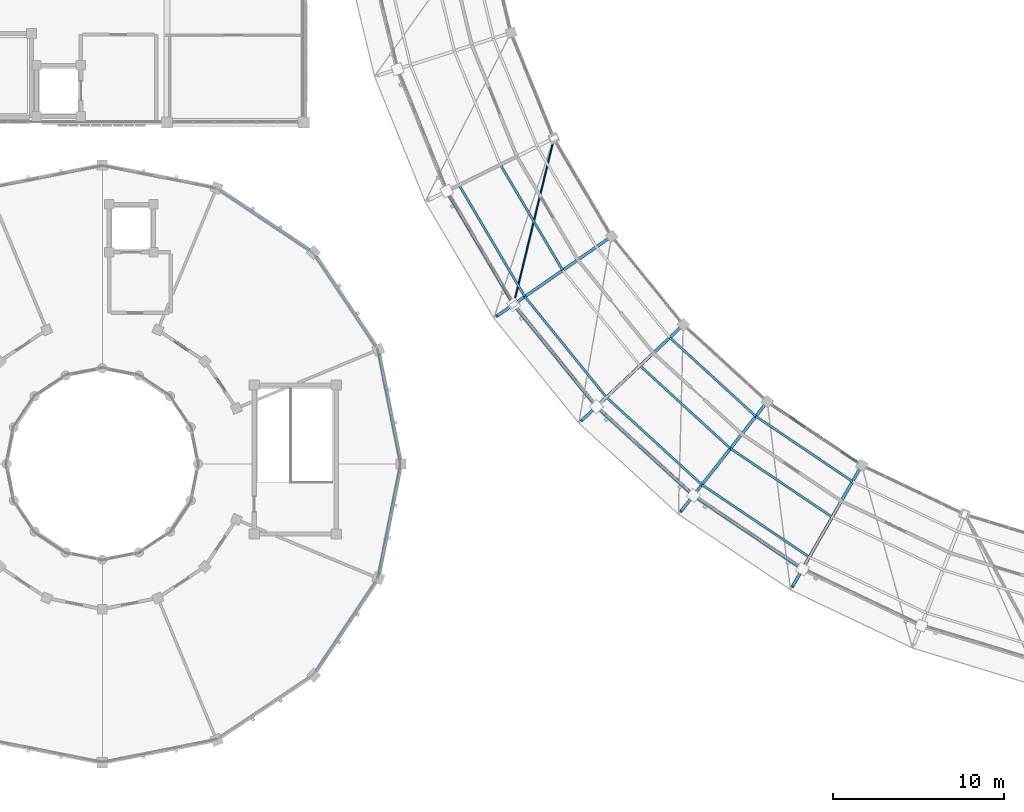
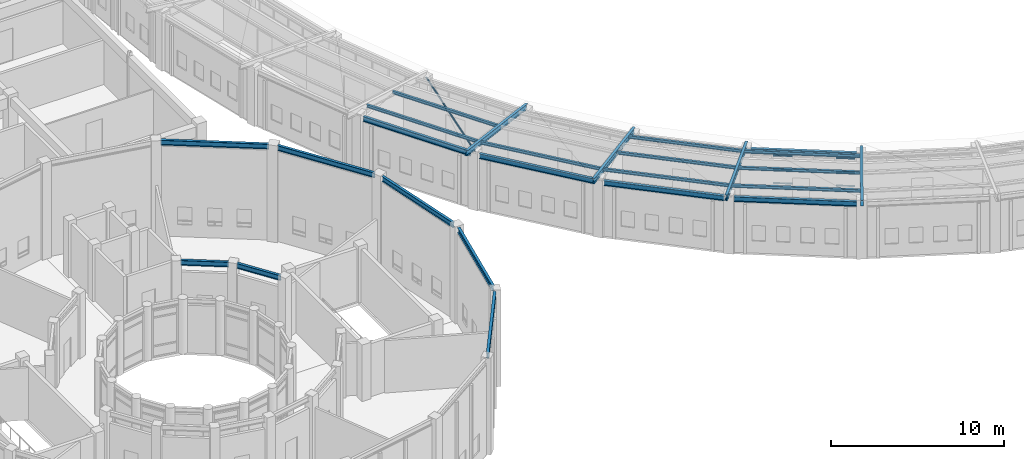
# One storey, part 16 of 149: 20 members, 12 beams, 1 element without a shape of its own.
"""IFC4 building model written with IfcOpenShell, lengths in metres."""

import ifcopenshell
import ifcopenshell.guid

model = None  # the IFC model being written
_history = None  # IfcOwnerHistory: only IFC2X3 demands one
_inside = {}  # id of a spatial element -> (the spatial element, [elements in it])
_under = {}  # id of a project, library or spatial element -> (it, [spatial elements below it])
_declared = {}  # id of a project -> (the project, [libraries it declares])
_typed = {}  # id of a type object -> (the type object, [elements of that type])
_made_of = {}  # id of a material, layer set ... -> (it, [elements and type objects made of it])


def new_model(schema):
    """Start an empty IFC model of exactly this schema.

    Asked for "IFC4X3", IfcOpenShell would pick the latest addendum, in which some entities
    have other attributes; the version numbers below select the first issue.
    IFC2X3 requires an IfcOwnerHistory on every rooted entity: one is made here for all.
    """
    global model, _history
    if schema == "IFC4X3":
        model = ifcopenshell.file(schema_version=(4, 3, 0, 0))
    else:
        model = ifcopenshell.file(schema=schema)
    _inside.clear()
    _under.clear()
    _declared.clear()
    _typed.clear()
    _made_of.clear()
    _history = None
    if model.schema == "IFC2X3":
        org = make("IfcOrganization", Name="unknown")
        user = make(
            "IfcPersonAndOrganization",
            ThePerson=make("IfcPerson", FamilyName="unknown"),
            TheOrganization=org,
        )
        app = make(
            "IfcApplication",
            ApplicationDeveloper=org,
            Version="unknown",
            ApplicationFullName="unknown",
            ApplicationIdentifier="unknown",
        )
        _history = make(
            "IfcOwnerHistory",
            OwningUser=user,
            OwningApplication=app,
            ChangeAction="ADDED",
            CreationDate=0,
        )
    return model


def make(cls, **values):
    """One entity of the class cls with the attributes given. An attribute that is None is left unset."""
    return model.create_entity(
        cls, **{name: value for name, value in values.items() if value is not None}
    )


def rooted(cls, **values):
    """An entity with a GlobalId (a new one), such as an element, a storey or a relation."""
    return make(cls, GlobalId=ifcopenshell.guid.new(), OwnerHistory=_history, **values)


def si_unit(unit_type, name, prefix=None):
    """IfcSIUnit, for example si_unit("LENGTHUNIT", "METRE", prefix="MILLI")."""
    return make("IfcSIUnit", UnitType=unit_type, Prefix=prefix, Name=name)


def assignment(units):
    """IfcUnitAssignment: the units of a project."""
    return None if units is None else make("IfcUnitAssignment", Units=units)


def point(xyz):
    """IfcCartesianPoint."""
    return None if xyz is None else make("IfcCartesianPoint", Coordinates=xyz)


def direction(xyz):
    """IfcDirection."""
    return None if xyz is None else make("IfcDirection", DirectionRatios=xyz)


def frame(location, z_axis=None, x_axis=None):
    """IfcAxis2Placement3D, a coordinate frame: its origin and axes. An axis left out is left unset."""
    return make(
        "IfcAxis2Placement3D",
        Location=point(location),
        Axis=direction(z_axis),
        RefDirection=direction(x_axis),
    )


def frame_2d(location, x_axis=None):
    """IfcAxis2Placement2D, a coordinate frame in the plane: its origin and x axis."""
    return make(
        "IfcAxis2Placement2D", Location=point(location), RefDirection=direction(x_axis)
    )


def origin():
    """The frame at (0, 0, 0) with its axes left unset."""
    return frame((0.0, 0.0, 0.0))


def origin_2d():
    """The frame at (0, 0) in the plane with its x axis left unset."""
    return frame_2d((0.0, 0.0))


def place(relative_to, where):
    """IfcLocalPlacement: puts the frame where relative to a parent placement (None: the world)."""
    return make(
        "IfcLocalPlacement", PlacementRelTo=relative_to, RelativePlacement=where
    )


def context(
    kind, dimensions, precision=None, world=None, true_north=None, identifier=None
):
    """IfcGeometricRepresentationContext, for example the 3D "Model" context."""
    return make(
        "IfcGeometricRepresentationContext",
        ContextIdentifier=identifier,
        ContextType=kind,
        CoordinateSpaceDimension=dimensions,
        Precision=precision,
        WorldCoordinateSystem=world,
        TrueNorth=true_north,
    )


def subcontext(parent, identifier, kind, view, scale=None):
    """IfcGeometricRepresentationSubContext, for example "Body" below "Model"."""
    return make(
        "IfcGeometricRepresentationSubContext",
        ContextIdentifier=identifier,
        ContextType=kind,
        ParentContext=parent,
        TargetScale=scale,
        TargetView=view,
    )


def project(units=None, contexts=None):
    """IfcProject with its units and contexts."""
    return rooted(
        "IfcProject",
        Name="project",
        RepresentationContexts=contexts,
        UnitsInContext=assignment(units),
    )


def spatial(cls, under=None, at=None, **own):
    """A site, building, storey or space (cls), placed at a placement, below another one or the project."""
    s = rooted(cls, ObjectPlacement=at, **own)
    if under is not None:
        _under.setdefault(under.id(), (under, []))[1].append(s)
    return s


def profile(cls, at=None, kind="AREA", **sizes):
    """A parametric profile (cls). Its sizes go by their IFC names, for example OverallWidth=200.0."""
    return make(cls, ProfileType=kind, Position=at, **sizes)


def hollow_rectangle(**sizes):
    """IfcRectangleHollowProfileDef."""
    return profile("IfcRectangleHollowProfileDef", **sizes)


def hollow_circle(**sizes):
    """IfcCircleHollowProfileDef."""
    return profile("IfcCircleHollowProfileDef", **sizes)


def i_section(**sizes):
    """IfcIShapeProfileDef."""
    return profile("IfcIShapeProfileDef", **sizes)


def extrude(swept, where, along, depth):
    """IfcExtrudedAreaSolid: the profile swept, set in the frame where, extruded along a direction by depth."""
    return make(
        "IfcExtrudedAreaSolid",
        SweptArea=swept,
        Position=where,
        ExtrudedDirection=direction(along),
        Depth=depth,
    )


def shape(context_of_items, identifier, shape_type, items):
    """IfcShapeRepresentation: the items that make up one representation, for example the "Body"."""
    return make(
        "IfcShapeRepresentation",
        ContextOfItems=context_of_items,
        RepresentationIdentifier=identifier,
        RepresentationType=shape_type,
        Items=items,
    )


def material(Name=None, Category=None):
    """IfcMaterial."""
    return make("IfcMaterial", Name=Name, Category=Category)


def material_profile(
    of_material, cross_section, Name=None, Category=None, Priority=None
):
    """IfcMaterialProfile: a cross section and its material."""
    return make(
        "IfcMaterialProfile",
        Name=Name,
        Material=of_material,
        Profile=cross_section,
        Priority=Priority,
        Category=Category,
    )


def profile_set(profiles, Name=None, composite=None):
    """IfcMaterialProfileSet."""
    return make(
        "IfcMaterialProfileSet",
        Name=Name,
        MaterialProfiles=profiles,
        CompositeProfile=composite,
    )


def made_of(thing, what):
    """Note that an element or type object is made of a material, layer set ...; save() writes the relation."""
    if what is not None:
        _made_of.setdefault(what.id(), (what, []))[1].append(thing)
    return thing


def type_object(cls, material=None, **own):
    """A type object (cls), such as IfcWallType, which elements share."""
    return made_of(rooted(cls, **own), material)


def element(
    cls,
    number,
    at=None,
    inside=None,
    cuts=None,
    type_object=None,
    material=None,
    context=None,
    identifier="Body",
    shape_type=None,
    held_by="IfcProductDefinitionShape",
    body=None,
    shapes=None,
    **own,
):
    """One element of the class cls, such as IfcWall. Its Tag is "e" and its number.

    at: its placement. inside: the storey or other place that contains it. cuts: it is an
    opening in that element (IfcRelVoidsElement). A single representation is given by context,
    identifier, shape_type and body (its items); several are given by shapes. held_by: the class
    of the entity that holds the representations. save() writes the other relations.
    """
    e = rooted(cls, Tag="e%d" % number, ObjectPlacement=at, **own)
    if body is not None:
        shapes = [shape(context, identifier, shape_type, body)]
    if shapes is not None:
        e.Representation = make(held_by, Representations=shapes)
    if inside is not None:
        _inside.setdefault(inside.id(), (inside, []))[1].append(e)
    if cuts is not None:
        rooted(
            "IfcRelVoidsElement", RelatingBuildingElement=cuts, RelatedOpeningElement=e
        )
    if type_object is not None:
        _typed.setdefault(type_object.id(), (type_object, []))[1].append(e)
    return made_of(e, material)


def aggregate(whole, parts):
    """IfcRelAggregates: a whole, such as a stair, and the parts it consists of."""
    return rooted("IfcRelAggregates", RelatingObject=whole, RelatedObjects=parts)


def save(model, path):
    """Write the relations noted so far, then the file.

    IfcRelAggregates (storeys below a building ...), IfcRelContainedInSpatialStructure (elements
    in a storey), IfcRelDefinesByType, IfcRelAssociatesMaterial and IfcRelDeclares: one each for
    every whole, place, type object, material and project.
    """
    for whole, parts in _under.values():
        aggregate(whole, parts)
    for where, things in _inside.values():
        rooted(
            "IfcRelContainedInSpatialStructure",
            RelatedElements=things,
            RelatingStructure=where,
        )
    for kind, things in _typed.values():
        rooted("IfcRelDefinesByType", RelatedObjects=things, RelatingType=kind)
    for what, things in _made_of.values():
        rooted("IfcRelAssociatesMaterial", RelatedObjects=things, RelatingMaterial=what)
    for by, libraries in _declared.values():
        rooted("IfcRelDeclares", RelatingContext=by, RelatedDefinitions=libraries)
    model.write(path)


model = new_model("IFC4")

# Units and contexts
model_context = context("Model", 3, precision=1e-05, world=origin(), true_north=direction((0.0, 1.0)))
body_context = subcontext(model_context, "Body", "Model", "MODEL_VIEW")
ifc_project = project(units=[si_unit("LENGTHUNIT", "METRE"), si_unit("AREAUNIT", "SQUARE_METRE"), si_unit("VOLUMEUNIT", "CUBIC_METRE"), si_unit("PLANEANGLEUNIT", "RADIAN"), si_unit("MASSUNIT", "GRAM", prefix="KILO")], contexts=[model_context])

# Site, building, storey
site_placement = place(None, origin())
site = spatial("IfcSite", under=ifc_project, at=site_placement, CompositionType="ELEMENT")
building_placement = place(site_placement, origin())
building = spatial("IfcBuilding", under=site, at=building_placement, Name="Celadon Cloister-Ring School", CompositionType="ELEMENT")
storey_placement = place(building_placement, frame((0.0, 0.0, 12.5)))
storey = spatial("IfcBuildingStorey", under=building, at=storey_placement, Name="L03", CompositionType="ELEMENT", Elevation=12.5)

# Curtain wall, members
ifc_material_1 = material(Name="Aluminium EN AW-6063 T6", Category="aluminium")
curtain_wall_type = type_object("IfcCurtainWallType", Name="CW-02", PredefinedType="USERDEFINED", material=ifc_material_1)
curtain_wall_placement = place(storey_placement, origin())
curtain_wall = element("IfcCurtainWall", 1, at=curtain_wall_placement, inside=storey, type_object=curtain_wall_type, Name="Curtain Wall 0057", ObjectType="CURTAIN WALL", PredefinedType="USERDEFINED")
ifc_material_2 = material(Name="Aluminium EN AW-6063 T6", Category="aluminium")
ifc_material_profile_1 = material_profile(ifc_material_2, hollow_rectangle(XDim=0.074951171875, YDim=0.074951171875, WallThickness=0.00390625, at=origin_2d()), Name="RHS75X75X4")
ifc_profile_set_1 = profile_set([ifc_material_profile_1], Name="Aluminium EN AW-6063 T6")
member_type_1 = type_object("IfcMemberType", Name="CTM-03", PredefinedType="USERDEFINED", material=ifc_profile_set_1)
member_1_placement = place(storey_placement, frame((60.429443359375, 22.790771484375, 0.03759765625), z_axis=(0.829309514783, -0.55878952092, 0.0), x_axis=(0.55878952092, 0.829309514783, 0.0)))
member_1 = element("IfcMember", 2, at=member_1_placement, type_object=member_type_1, Name="CW-02 transom 2.1", ObjectType="TRANSOM", PredefinedType="USERDEFINED", context=body_context, shape_type="SweptSolid", body=[
    extrude(hollow_rectangle(XDim=0.074951171875, YDim=0.074951171875, WallThickness=0.00390625, at=origin_2d()), origin(), (0.0, 0.0, 1.0), 1.1416015625),
])
member_2_placement = place(storey_placement, frame((60.429443359375, 22.790771484375, 1.010009765625), z_axis=(0.829309514783, -0.55878952092, 0.0), x_axis=(0.55878952092, 0.829309514783, 0.0)))
member_2 = element("IfcMember", 3, at=member_2_placement, type_object=member_type_1, Name="CW-02 transom 2.2", ObjectType="TRANSOM", PredefinedType="USERDEFINED", context=body_context, shape_type="SweptSolid", body=[
    extrude(hollow_rectangle(XDim=0.074951171875, YDim=0.074951171875, WallThickness=0.00390625, at=origin_2d()), origin(), (0.0, 0.0, 1.0), 1.1416015625),
])
member_3_placement = place(storey_placement, frame((60.429443359375, 22.790771484375, 1.982421875), z_axis=(0.829309514783, -0.55878952092, 0.0), x_axis=(0.55878952092, 0.829309514783, 0.0)))
member_3 = element("IfcMember", 4, at=member_3_placement, type_object=member_type_1, Name="CW-02 transom 2.3", ObjectType="TRANSOM", PredefinedType="USERDEFINED", context=body_context, shape_type="SweptSolid", body=[
    extrude(hollow_rectangle(XDim=0.074951171875, YDim=0.074951171875, WallThickness=0.00390625, at=origin_2d()), origin(), (0.0, 0.0, 1.0), 1.1416015625),
])
member_4_placement = place(storey_placement, frame((63.468994140625, 20.742431640625, 0.03759765625), z_axis=(0.829244100833, -0.558886590673, 0.0), x_axis=(0.558886590673, 0.829244100833, 0.0)))
member_4 = element("IfcMember", 5, at=member_4_placement, type_object=member_type_1, Name="CW-02 transom 5.1", ObjectType="TRANSOM", PredefinedType="USERDEFINED", context=body_context, shape_type="SweptSolid", body=[
    extrude(hollow_rectangle(XDim=0.074951171875, YDim=0.074951171875, WallThickness=0.00390625, at=origin_2d()), origin(), (0.0, 0.0, 1.0), 1.101806640625),
])
member_5_placement = place(storey_placement, frame((63.468994140625, 20.742431640625, 1.010009765625), z_axis=(0.829244100833, -0.558886590673, 0.0), x_axis=(0.558886590673, 0.829244100833, 0.0)))
member_5 = element("IfcMember", 6, at=member_5_placement, type_object=member_type_1, Name="CW-02 transom 5.2", ObjectType="TRANSOM", PredefinedType="USERDEFINED", context=body_context, shape_type="SweptSolid", body=[
    extrude(hollow_rectangle(XDim=0.074951171875, YDim=0.074951171875, WallThickness=0.00390625, at=origin_2d()), origin(), (0.0, 0.0, 1.0), 1.101806640625),
])
member_6_placement = place(storey_placement, frame((63.468994140625, 20.742431640625, 1.982421875), z_axis=(0.829244100833, -0.558886590673, 0.0), x_axis=(0.558886590673, 0.829244100833, 0.0)))
member_6 = element("IfcMember", 7, at=member_6_placement, type_object=member_type_1, Name="CW-02 transom 5.3", ObjectType="TRANSOM", PredefinedType="USERDEFINED", context=body_context, shape_type="SweptSolid", body=[
    extrude(hollow_rectangle(XDim=0.074951171875, YDim=0.074951171875, WallThickness=0.00390625, at=origin_2d()), origin(), (0.0, 0.0, 1.0), 1.101806640625),
])
aggregate(curtain_wall, [member_1, member_2, member_3, member_4, member_5, member_6])

# Beams
ifc_material_3 = material(Name="Structural steel S355JR", Category="steel")
ifc_material_profile_2 = material_profile(ifc_material_3, i_section(OverallWidth=0.1708984375, OverallDepth=0.35498046875, WebThickness=0.007080078125, FlangeThickness=0.01171875, at=origin_2d()), Name="W360X51")
ifc_profile_set_2 = profile_set([ifc_material_profile_2], Name="Structural steel S355JR")
beam_type_1 = type_object("IfcBeamType", Name="GT-08", PredefinedType="USERDEFINED", material=ifc_profile_set_2)
beam_1_placement = place(storey_placement, frame((59.35888671875, 23.511962890625, 2.27197265625), z_axis=(0.82929315026, -0.558813807033, 0.0), x_axis=(0.558813807033, 0.82929315026, 0.0)))
element("IfcBeam", 8, at=beam_1_placement, inside=storey, type_object=beam_type_1, Name="Beam 0551", ObjectType="GIRDER", PredefinedType="USERDEFINED", context=body_context, shape_type="SweptSolid", body=[
    extrude(i_section(OverallWidth=0.1708984375, OverallDepth=0.35498046875, WebThickness=0.007080078125, FlangeThickness=0.01171875, at=origin_2d()), origin(), (0.0, 0.0, 1.0), 6.166748046875),
])
beam_2_placement = place(storey_placement, frame((27.9140625, 23.4609375, 4.322998046875), z_axis=(-0.555740149771, 0.831356052442, 0.0), x_axis=(-0.831356052442, -0.555740149771, 0.0)))
element("IfcBeam", 9, at=beam_2_placement, inside=storey, type_object=beam_type_1, Name="Beam 1075", ObjectType="GIRDER", PredefinedType="USERDEFINED", context=body_context, shape_type="SweptSolid", body=[
    extrude(i_section(OverallWidth=0.1708984375, OverallDepth=0.35498046875, WebThickness=0.007080078125, FlangeThickness=0.01171875, at=origin_2d()), origin(), (0.0, 0.0, 1.0), 2.81591796875),
])
beam_3_placement = place(storey_placement, frame((26.001953125, 26.14892578125, 4.322998046875), z_axis=(-0.831315995752, 0.555800067657, 0.0), x_axis=(-0.555800067657, -0.831315995752, 0.0)))
element("IfcBeam", 10, at=beam_3_placement, inside=storey, type_object=beam_type_1, Name="Beam 1078", ObjectType="GIRDER", PredefinedType="USERDEFINED", context=body_context, shape_type="SweptSolid", body=[
    extrude(i_section(OverallWidth=0.1708984375, OverallDepth=0.35498046875, WebThickness=0.007080078125, FlangeThickness=0.01171875, at=origin_2d()), origin(), (0.0, 0.0, 1.0), 2.816162109375),
])

# Members
ifc_material_4 = material(Name="Structural steel S355JR", Category="steel")
ifc_material_profile_3 = material_profile(ifc_material_4, hollow_circle(Radius=0.05712890625, WallThickness=0.006103515625, at=origin_2d()), Name="CHS114.3X6")
ifc_profile_set_3 = profile_set([ifc_material_profile_3], Name="Structural steel S355JR")
member_type_2 = type_object("IfcMemberType", Name="MB-11", PredefinedType="BRACE", material=ifc_profile_set_3)
member_7_placement = place(storey_placement, frame((46.65087890625, 39.075927734375, 2.449951171875), z_axis=(-0.233265891806, -0.961070899966, 0.148086964172), x_axis=(0.971785473307, -0.235866474662, 0.0)))
element("IfcMember", 11, at=member_7_placement, inside=storey, type_object=member_type_2, Name="Structural Member 0130", PredefinedType="BRACE", context=body_context, shape_type="SweptSolid", body=[
    extrude(hollow_circle(Radius=0.05712890625, WallThickness=0.006103515625, at=origin_2d()), origin(), (0.0, 0.0, 1.0), 10.129150390625),
])
ifc_material_5 = material(Name="Structural steel S355JR", Category="steel")
ifc_material_profile_4 = material_profile(ifc_material_5, i_section(OverallWidth=0.133056640625, OverallDepth=0.20703125, WebThickness=0.005859375, FlangeThickness=0.00830078125, at=origin_2d()), Name="W200X27")
ifc_profile_set_4 = profile_set([ifc_material_profile_4], Name="Structural steel S355JR")
member_type_3 = type_object("IfcMemberType", Name="MP-04", PredefinedType="PURLIN", material=ifc_profile_set_4)
member_8_placement = place(storey_placement, frame((43.512939453125, 37.52587890625, 3.4599609375), z_axis=(0.508010230001, -0.861351035417, 0.0), x_axis=(0.861351035417, 0.508010230001, 0.0)))
element("IfcMember", 12, at=member_8_placement, inside=storey, type_object=member_type_3, Name="Structural Member 0128", PredefinedType="PURLIN", context=body_context, shape_type="SweptSolid", body=[
    extrude(i_section(OverallWidth=0.133056640625, OverallDepth=0.20703125, WebThickness=0.005859375, FlangeThickness=0.00830078125, at=origin_2d()), origin(), (0.0, 0.0, 1.0), 7.185302734375),
])
for number, where, z_axis, x_axis, name in (
    (13, (41.092041015625, 36.3310546875, 4.073974609375), (0.507953791688, -0.861384319285, 0.0), (0.861384319285, 0.507953791688, 0.0), "Structural Member 0129"),
    (14, (44.945068359375, 29.797119140625, 4.073974609375), (0.629620344145, -0.776902968355, 0.0), (0.776902968355, 0.629620344145, 0.0), "Structural Member 0135"),
):
    element("IfcMember", number, at=place(storey_placement, frame(where, z_axis=z_axis, x_axis=x_axis)), inside=storey, type_object=member_type_3, Name=name, PredefinedType="PURLIN", context=body_context, shape_type="SweptSolid", body=[
        extrude(i_section(OverallWidth=0.133056640625, OverallDepth=0.20703125, WebThickness=0.005859375, FlangeThickness=0.00830078125, at=origin_2d()), origin(), (0.0, 0.0, 1.0), 7.58544921875),
    ])
member_9_placement = place(storey_placement, frame((53.43408203125, 27.39990234375, 2.970947265625), z_axis=(0.737541324377, -0.675302002689, 0.0), x_axis=(0.675302002689, 0.737541324377, 0.0)))
element("IfcMember", 15, at=member_9_placement, inside=storey, type_object=member_type_3, Name="Structural Member 0138", PredefinedType="PURLIN", context=body_context, shape_type="SweptSolid", body=[
    extrude(i_section(OverallWidth=0.133056640625, OverallDepth=0.20703125, WebThickness=0.005859375, FlangeThickness=0.00830078125, at=origin_2d()), origin(), (0.0, 0.0, 1.0), 6.829345703125),
])
member_10_placement = place(storey_placement, frame((51.68701171875, 25.7548828125, 3.4599609375), z_axis=(0.737547548272, -0.675295205105, 0.0), x_axis=(0.675295205105, 0.737547548272, 0.0)))
element("IfcMember", 16, at=member_10_placement, inside=storey, type_object=member_type_3, Name="Structural Member 0139", PredefinedType="PURLIN", context=body_context, shape_type="SweptSolid", body=[
    extrude(i_section(OverallWidth=0.133056640625, OverallDepth=0.20703125, WebThickness=0.005859375, FlangeThickness=0.00830078125, at=origin_2d()), origin(), (0.0, 0.0, 1.0), 7.184814453125),
])
member_11_placement = place(storey_placement, frame((49.720947265625, 23.904052734375, 4.073974609375), z_axis=(0.737532147049, -0.67531202571, 0.0), x_axis=(0.67531202571, 0.737532147049, 0.0)))
element("IfcMember", 17, at=member_11_placement, inside=storey, type_object=member_type_3, Name="Structural Member 0140", PredefinedType="PURLIN", context=body_context, shape_type="SweptSolid", body=[
    extrude(i_section(OverallWidth=0.133056640625, OverallDepth=0.20703125, WebThickness=0.005859375, FlangeThickness=0.00830078125, at=origin_2d()), origin(), (0.0, 0.0, 1.0), 7.584716796875),
])
member_12_placement = place(storey_placement, frame((58.470947265625, 22.7880859375, 2.970947265625), z_axis=(0.829151889923, -0.559023383623, 0.0), x_axis=(0.559023383623, 0.829151889923, 0.0)))
element("IfcMember", 18, at=member_12_placement, inside=storey, type_object=member_type_3, Name="Structural Member 0143", PredefinedType="PURLIN", context=body_context, shape_type="SweptSolid", body=[
    extrude(i_section(OverallWidth=0.133056640625, OverallDepth=0.20703125, WebThickness=0.005859375, FlangeThickness=0.00830078125, at=origin_2d()), origin(), (0.0, 0.0, 1.0), 6.830078125),
])
member_13_placement = place(storey_placement, frame((56.986083984375, 20.903076171875, 3.4599609375), z_axis=(0.829143180619, -0.559036301176, 0.0), x_axis=(0.559036301176, 0.829143180619, 0.0)))
element("IfcMember", 19, at=member_13_placement, inside=storey, type_object=member_type_3, Name="Structural Member 0144", PredefinedType="PURLIN", context=body_context, shape_type="SweptSolid", body=[
    extrude(i_section(OverallWidth=0.133056640625, OverallDepth=0.20703125, WebThickness=0.005859375, FlangeThickness=0.00830078125, at=origin_2d()), origin(), (0.0, 0.0, 1.0), 7.185791015625),
])
member_14_placement = place(storey_placement, frame((55.31494140625, 18.781982421875, 4.073974609375), z_axis=(0.829202220415, -0.558948725429, 0.0), x_axis=(0.558948725429, 0.829202220415, 0.0)))
element("IfcMember", 20, at=member_14_placement, inside=storey, type_object=member_type_3, Name="Structural Member 0145", PredefinedType="PURLIN", context=body_context, shape_type="SweptSolid", body=[
    extrude(i_section(OverallWidth=0.133056640625, OverallDepth=0.20703125, WebThickness=0.005859375, FlangeThickness=0.00830078125, at=origin_2d()), origin(), (0.0, 0.0, 1.0), 7.585693359375),
])
ifc_material_6 = material(Name="Structural steel S355JR", Category="steel")
ifc_material_profile_5 = material_profile(ifc_material_6, i_section(OverallWidth=0.1708984375, OverallDepth=0.35498046875, WebThickness=0.007080078125, FlangeThickness=0.01171875, at=origin_2d()), Name="W360X51")
ifc_profile_set_5 = profile_set([ifc_material_profile_5], Name="Structural steel S355JR")
member_type_4 = type_object("IfcMemberType", Name="MR-05", PredefinedType="RAFTER", material=ifc_profile_set_5)
member_15_placement = place(storey_placement, frame((50.0380859375, 33.3330078125, 2.72607421875), z_axis=(-0.801176332797, -0.556273241542, 0.220627660346), x_axis=(0.57032718338, -0.821417618449, 0.0)))
element("IfcMember", 21, at=member_15_placement, inside=storey, type_object=member_type_4, Name="Structural Member 0024", PredefinedType="RAFTER", context=body_context, shape_type="SweptSolid", body=[
    extrude(i_section(OverallWidth=0.1708984375, OverallDepth=0.35498046875, WebThickness=0.007080078125, FlangeThickness=0.01171875, at=origin_2d()), origin(), (0.0, 0.0, 1.0), 8.40771484375),
])
member_16_placement = place(storey_placement, frame((54.235107421875, 28.154052734375, 2.72607421875), z_axis=(-0.710130671482, -0.668604260252, 0.220641729039), x_axis=(0.685498421065, -0.728074113478, 0.0)))
element("IfcMember", 22, at=member_16_placement, inside=storey, type_object=member_type_4, Name="Structural Member 0026", PredefinedType="RAFTER", context=body_context, shape_type="SweptSolid", body=[
    extrude(i_section(OverallWidth=0.1708984375, OverallDepth=0.35498046875, WebThickness=0.007080078125, FlangeThickness=0.01171875, at=origin_2d()), origin(), (0.0, 0.0, 1.0), 8.4072265625),
])
member_17_placement = place(storey_placement, frame((59.152099609375, 23.652099609375, 2.72607421875), z_axis=(-0.603646362207, -0.766115161348, 0.220632338852), x_axis=(0.785471497777, -0.618897831778, 0.0)))
element("IfcMember", 23, at=member_17_placement, inside=storey, type_object=member_type_4, Name="Structural Member 0028", PredefinedType="RAFTER", context=body_context, shape_type="SweptSolid", body=[
    extrude(i_section(OverallWidth=0.1708984375, OverallDepth=0.35498046875, WebThickness=0.007080078125, FlangeThickness=0.01171875, at=origin_2d()), origin(), (0.0, 0.0, 1.0), 8.407470703125),
])
member_18_placement = place(storey_placement, frame((64.679931640625, 19.926025390625, 2.72607421875), z_axis=(-0.48370680709, -0.846966031288, 0.220626985248), x_axis=(0.868364032889, -0.49592731966, 0.0)))
element("IfcMember", 24, at=member_18_placement, inside=storey, type_object=member_type_4, Name="Structural Member 0030", PredefinedType="RAFTER", context=body_context, shape_type="SweptSolid", body=[
    extrude(i_section(OverallWidth=0.1708984375, OverallDepth=0.35498046875, WebThickness=0.007080078125, FlangeThickness=0.01171875, at=origin_2d()), origin(), (0.0, 0.0, 1.0), 8.40771484375),
])

# Beams
ifc_material_7 = material(Name="Structural steel S355JR", Category="steel")
ifc_material_profile_6 = material_profile(ifc_material_7, i_section(OverallWidth=0.1708984375, OverallDepth=0.35498046875, WebThickness=0.007080078125, FlangeThickness=0.01171875, at=origin_2d()), Name="W360X51")
ifc_profile_set_6 = profile_set([ifc_material_profile_6], Name="Structural steel S355JR")
beam_type_2 = type_object("IfcBeamType", Name="SP-04", PredefinedType="SPANDREL", material=ifc_profile_set_6)
beam_4_placement = place(storey_placement, frame((40.514892578125, 35.739990234375, 3.722900390625), z_axis=(0.507880480168, -0.861427546498, 0.0), x_axis=(0.861427546498, 0.507880480168, 0.0)))
element("IfcBeam", 25, at=beam_4_placement, inside=storey, type_object=beam_type_2, Name="Beam 0544", PredefinedType="SPANDREL", context=body_context, shape_type="SweptSolid", body=[
    extrude(i_section(OverallWidth=0.1708984375, OverallDepth=0.35498046875, WebThickness=0.007080078125, FlangeThickness=0.01171875, at=origin_2d()), origin(), (0.0, 0.0, 1.0), 7.1533203125),
])
beam_5_placement = place(storey_placement, frame((44.4609375, 29.126953125, 3.722900390625), z_axis=(0.629681176421, -0.776853664509, 0.0), x_axis=(0.776853664509, 0.629681176421, 0.0)))
element("IfcBeam", 26, at=beam_5_placement, inside=storey, type_object=beam_type_2, Name="Beam 0546", PredefinedType="SPANDREL", context=body_context, shape_type="SweptSolid", body=[
    extrude(i_section(OverallWidth=0.1708984375, OverallDepth=0.35498046875, WebThickness=0.007080078125, FlangeThickness=0.01171875, at=origin_2d()), origin(), (0.0, 0.0, 1.0), 7.153076171875),
])
for number, where, z_axis, x_axis, name in (
    (27, (49.341064453125, 23.169921875, 3.722900390625), (0.737530862868, -0.675313428208, 0.0), (0.675313428208, 0.737530862868, 0.0), "Beam 0548"),
    (28, (55.048095703125, 17.9990234375, 3.722900390625), (0.829235824362, -0.558898870632, 0.0), (0.558898870632, 0.829235824362, 0.0), "Beam 0550"),
):
    element("IfcBeam", number, at=place(storey_placement, frame(where, z_axis=z_axis, x_axis=x_axis)), inside=storey, type_object=beam_type_2, Name=name, PredefinedType="SPANDREL", context=body_context, shape_type="SweptSolid", body=[
        extrude(i_section(OverallWidth=0.1708984375, OverallDepth=0.35498046875, WebThickness=0.007080078125, FlangeThickness=0.01171875, at=origin_2d()), origin(), (0.0, 0.0, 1.0), 7.1533203125),
    ])
for number, where, z_axis, x_axis, name in (
    (29, (37.64599609375, 20.27001953125, 6.572998046875), (-0.194964206518, 0.980810357907, 0.0), (-0.980810357907, -0.194964206518, 0.0), "Beam 1072"),
    (30, (36.215087890625, 26.926025390625, 6.572998046875), (-0.555660177561, 0.831409506244, 0.0), (-0.831409506244, -0.555660177561, 0.0), "Beam 1074"),
):
    element("IfcBeam", number, at=place(storey_placement, frame(where, z_axis=z_axis, x_axis=x_axis)), inside=storey, type_object=beam_type_2, Name=name, PredefinedType="SPANDREL", context=body_context, shape_type="SweptSolid", body=[
        extrude(i_section(OverallWidth=0.1708984375, OverallDepth=0.35498046875, WebThickness=0.007080078125, FlangeThickness=0.01171875, at=origin_2d()), origin(), (0.0, 0.0, 1.0), 6.27734375),
    ])
beam_6_placement = place(storey_placement, frame((32.344970703125, 32.527099609375, 6.572998046875), z_axis=(-0.831427473898, 0.555633292422, 0.0), x_axis=(-0.555633292422, -0.831427473898, 0.0)))
element("IfcBeam", 31, at=beam_6_placement, inside=storey, type_object=beam_type_2, Name="Beam 1077", PredefinedType="SPANDREL", context=body_context, shape_type="SweptSolid", body=[
    extrude(i_section(OverallWidth=0.1708984375, OverallDepth=0.35498046875, WebThickness=0.007080078125, FlangeThickness=0.01171875, at=origin_2d()), origin(), (0.0, 0.0, 1.0), 6.277099609375),
])
for number, where, z_axis, x_axis, name in (
    (32, (32.72705078125, 7.85498046875, 6.572998046875), (0.555660177561, 0.831409506244, 0.0), (-0.831409506244, 0.555660177561, 0.0), "Beam 1109"),
    (33, (36.422119140625, 13.572998046875, 6.572998046875), (0.194964206518, 0.980810357907, 0.0), (-0.980810357907, 0.194964206518, 0.0), "Beam 1112"),
):
    element("IfcBeam", number, at=place(storey_placement, frame(where, z_axis=z_axis, x_axis=x_axis)), inside=storey, type_object=beam_type_2, Name=name, PredefinedType="SPANDREL", context=body_context, shape_type="SweptSolid", body=[
        extrude(i_section(OverallWidth=0.1708984375, OverallDepth=0.35498046875, WebThickness=0.007080078125, FlangeThickness=0.01171875, at=origin_2d()), origin(), (0.0, 0.0, 1.0), 6.27734375),
    ])

save(model, "model.ifc")
